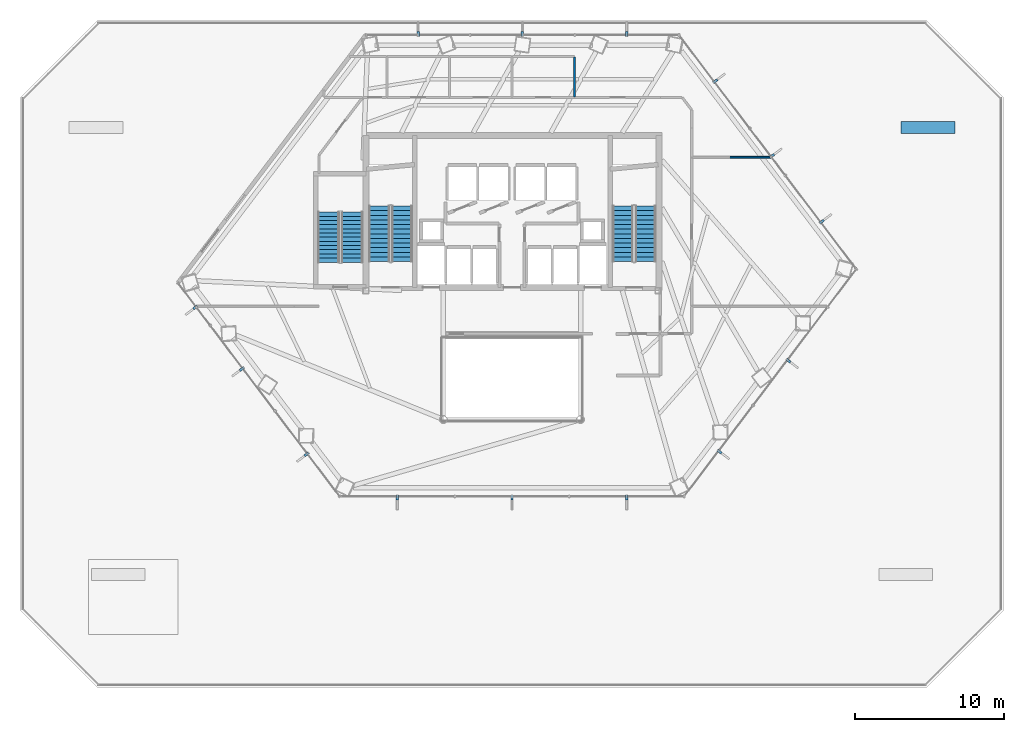
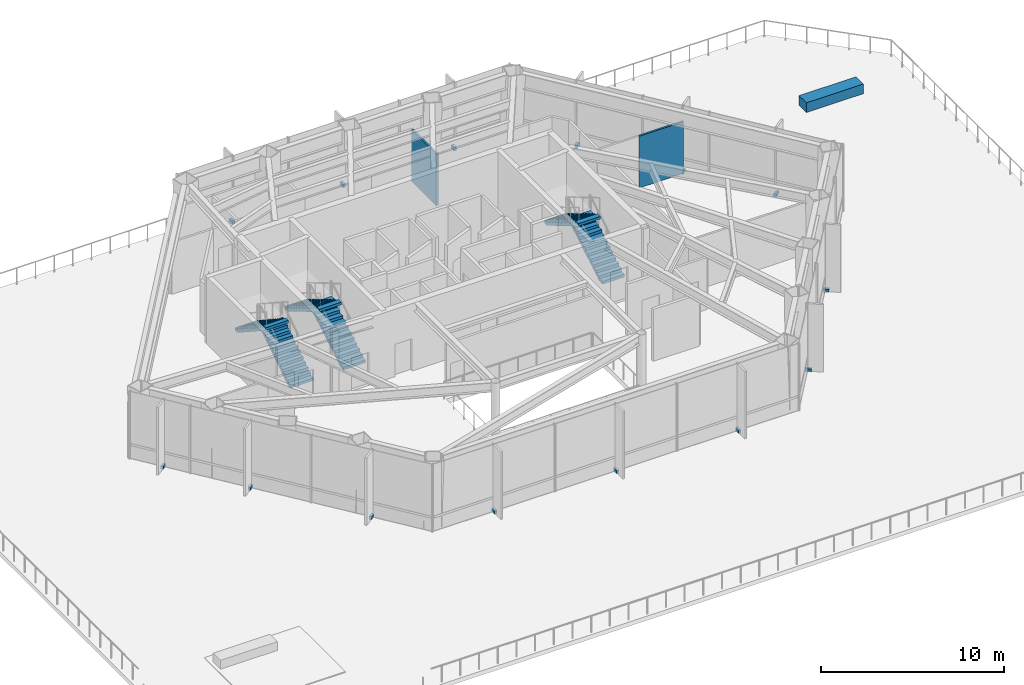
# One storey, part 23 of 30: 14 discrete accessories, 6 stair flights, 3 walls, 3 elements without a shape of their own.
"""IFC4 building model written with IfcOpenShell, lengths in metres."""

from ifc_helpers import new_model, si_unit, direction, frame, frame_2d, origin, origin_2d, place, context, subcontext, project, spatial, polyline, rectangle, outline, extrude, material, layer, layer_set, type_object, element, aggregate, save


model = new_model("IFC4")

# Units and contexts
model_context = context("Model", 3, precision=1e-05, world=origin(), true_north=direction((0.0, 1.0)))
body_context = subcontext(model_context, "Body", "Model", "MODEL_VIEW")
ifc_project = project(units=[si_unit("LENGTHUNIT", "METRE"), si_unit("AREAUNIT", "SQUARE_METRE"), si_unit("VOLUMEUNIT", "CUBIC_METRE"), si_unit("PLANEANGLEUNIT", "RADIAN"), si_unit("MASSUNIT", "GRAM", prefix="KILO")], contexts=[model_context])

# Site, building, storey
site_placement = place(None, origin())
site = spatial("IfcSite", under=ifc_project, at=site_placement, CompositionType="ELEMENT")
building_placement = place(site_placement, origin())
building = spatial("IfcBuilding", under=site, at=building_placement, Name="Zarrinselat Tower", CompositionType="ELEMENT")
storey_placement = place(building_placement, frame((0.0, 0.0, 22.780029296875)))
storey = spatial("IfcBuildingStorey", under=building, at=storey_placement, Name="L05", CompositionType="ELEMENT", Elevation=22.780029296875)

# Walls
ifc_material_1 = material(Name="Fire-Rated Gypsum Board Partition", Category="gypsum")
ifc_layer_1 = layer(ifc_material_1, 0.1201171875)
ifc_layer_set_1 = layer_set([ifc_layer_1], Name="Fire-Rated Gypsum Board Partition")
wall_type_1 = type_object("IfcWallType", Name="WAL-PART-STD", PredefinedType="PARTITIONING", material=ifc_layer_set_1)
wall_1_placement = place(storey_placement, frame((53.0, 42.0, 0.0), z_axis=(0.0, 0.0, 1.0), x_axis=(1.0, 0.0, 0.0)))
element("IfcWall", 1, at=wall_1_placement, inside=storey, type_object=wall_type_1, Name="L05 Partition Wall 41", PredefinedType="PARTITIONING", context=body_context, shape_type="SweptSolid", body=[
    extrude(rectangle(XDim=2.797119140625, YDim=0.1201171875, at=frame_2d((1.3984375, 0.0))), origin(), (0.0, 0.0, 1.0), 3.45703125),
])
ifc_material_2 = material(Name="Fire-Rated Gypsum Board Partition", Category="gypsum")
ifc_layer_2 = layer(ifc_material_2, 0.135009765625)
ifc_layer_set_2 = layer_set([ifc_layer_2], Name="Fire-Rated Gypsum Board Partition")
wall_type_2 = type_object("IfcWallType", Name="WAL-PART-WET", PredefinedType="PARTITIONING", material=ifc_layer_set_2)
wall_2_placement = place(storey_placement, frame((42.60009765625, 46.02001953125, 0.0), z_axis=(0.0, 0.0, 1.0), x_axis=(0.0, 1.0, 0.0)))
element("IfcWall", 2, at=wall_2_placement, inside=storey, type_object=wall_type_2, Name="L05 Partition Wall 35", PredefinedType="PARTITIONING", context=body_context, shape_type="SweptSolid", body=[
    extrude(rectangle(XDim=2.7099609375, YDim=0.135009765625, at=frame_2d((1.35498046875, 0.0))), origin(), (0.0, 0.0, 1.0), 3.45703125),
])
ifc_material_3 = material(Name="Honed Cream Travertine Stone", Category="masonry")
ifc_layer_3 = layer(ifc_material_3, 0.199951171875)
ifc_layer_set_3 = layer_set([ifc_layer_3], Name="Honed Cream Travertine Stone")
wall_type_3 = type_object("IfcWallType", Name="WAL-PLANTER-200", PredefinedType="PARAPET", material=ifc_layer_set_3)
wall_3_placement = place(storey_placement, frame((64.5, 44.0, 0.0), z_axis=(0.0, 0.0, 1.0), x_axis=(1.0, 0.0, 0.0)))
element("IfcWall", 3, at=wall_3_placement, inside=storey, type_object=wall_type_3, Name="L05 Chahar-Bagh Raised Stone PLANTER Bed 4", PredefinedType="PARAPET", context=body_context, shape_type="SweptSolid", body=[
    extrude(rectangle(XDim=3.60009765625, YDim=0.800048828125, at=frame_2d((1.800048828125, 0.0))), origin(), (0.0, 0.0, 1.0), 0.64990234375),
])

# Stair, stair flights
ifc_material_4 = material(Name="Concrete C40/50", Category="concrete")
stair_type_1 = type_object("IfcStairType", Name="STR-CORE-145", PredefinedType="HALF_TURN_STAIR", material=ifc_material_4)
stair_1_placement = place(storey_placement, origin())
stair_1 = element("IfcStair", 4, at=stair_1_placement, inside=storey, type_object=stair_type_1, Name="L05 Podium & Mid-Tower Exit Stair 3", PredefinedType="HALF_TURN_STAIR")
ifc_material_5 = material(Name="Concrete C40/50", Category="concrete")
stair_flight_type_1 = type_object("IfcStairFlightType", Name="STR-FLT-145", PredefinedType="STRAIGHT", material=ifc_material_5)
stair_flight_1_placement = place(storey_placement, frame((27.675048828125, 34.949951171875, 0.0), z_axis=(0.0, 0.0, 1.0), x_axis=(0.0, 1.0, 0.0)))
stair_flight_1 = element("IfcStairFlight", 5, at=stair_flight_1_placement, type_object=stair_flight_type_1, Name="ST-3 flight 1", NumberOfRisers=13, NumberOfTreads=12, PredefinedType="STRAIGHT", RiserHeight=0.183076923, TreadLength=0.28, context=body_context, shape_type="SweptSolid", body=[
    extrude(outline(polyline([(0.0, 0.0), (0.0, 0.18310546875), (0.280029296875, 0.18310546875), (0.280029296875, 0.3662109375), (0.56005859375, 0.3662109375), (0.56005859375, 0.54931640625), (0.840087890625, 0.54931640625), (0.840087890625, 0.732421875), (1.1201171875, 0.732421875), (1.1201171875, 0.915283203125), (1.39990234375, 0.915283203125), (1.39990234375, 1.098388671875), (1.679931640625, 1.098388671875), (1.679931640625, 1.281494140625), (1.9599609375, 1.281494140625), (1.9599609375, 1.464599609375), (2.239990234375, 1.464599609375), (2.239990234375, 1.647705078125), (2.52001953125, 1.647705078125), (2.52001953125, 1.830810546875), (2.800048828125, 1.830810546875), (2.800048828125, 2.013916015625), (3.080078125, 2.013916015625), (3.080078125, 2.197021484375), (3.360107421875, 2.197021484375), (3.360107421875, 2.3798828125), (3.360107421875, 2.017822265625), (0.27392578125, 0.0), (0.0, 0.0)])), frame((0.0, 0.72509765625, 0.0), z_axis=(0.0, -1.0, 0.0), x_axis=(1.0, 0.0, 0.0)), (0.0, 0.0, 1.0), 1.449951171875),
])
stair_flight_2_placement = place(storey_placement, frame((26.10498046875, 38.31005859375, 2.3798828125), z_axis=(0.0, 0.0, 1.0), x_axis=(0.0, -1.0, 0.0)))
stair_flight_2 = element("IfcStairFlight", 6, at=stair_flight_2_placement, type_object=stair_flight_type_1, Name="ST-3 flight 2", NumberOfRisers=13, NumberOfTreads=12, PredefinedType="STRAIGHT", RiserHeight=0.183076923, TreadLength=0.28, context=body_context, shape_type="SweptSolid", body=[
    extrude(outline(polyline([(0.0, 0.0), (0.0, 0.18310546875), (0.280029296875, 0.18310546875), (0.280029296875, 0.3662109375), (0.56005859375, 0.3662109375), (0.56005859375, 0.54931640625), (0.840087890625, 0.54931640625), (0.840087890625, 0.732421875), (1.1201171875, 0.732421875), (1.1201171875, 0.915283203125), (1.39990234375, 0.915283203125), (1.39990234375, 1.098388671875), (1.679931640625, 1.098388671875), (1.679931640625, 1.281494140625), (1.9599609375, 1.281494140625), (1.9599609375, 1.464599609375), (2.239990234375, 1.464599609375), (2.239990234375, 1.647705078125), (2.52001953125, 1.647705078125), (2.52001953125, 1.830810546875), (2.800048828125, 1.830810546875), (2.800048828125, 2.013916015625), (3.080078125, 2.013916015625), (3.080078125, 2.197021484375), (3.360107421875, 2.197021484375), (3.360107421875, 2.3798828125), (3.360107421875, 2.017822265625), (0.27392578125, 0.0), (0.0, 0.0)])), frame((0.0, 0.72509765625, 0.0), z_axis=(0.0, -1.0, 0.0), x_axis=(1.0, 0.0, 0.0)), (0.0, 0.0, 1.0), 1.449951171875),
])
aggregate(stair_1, [stair_flight_1, stair_flight_2])

ifc_material_6 = material(Name="Concrete C40/50", Category="concrete")
stair_type_2 = type_object("IfcStairType", Name="STR-CORE-155", PredefinedType="HALF_TURN_STAIR", material=ifc_material_6)
stair_2_placement = place(storey_placement, origin())
stair_2 = element("IfcStair", 7, at=stair_2_placement, inside=storey, type_object=stair_type_2, Name="L05 Core Exit Stair 1", PredefinedType="HALF_TURN_STAIR")
ifc_material_7 = material(Name="Concrete C40/50", Category="concrete")
stair_flight_type_2 = type_object("IfcStairFlightType", Name="STR-FLT-155", PredefinedType="STRAIGHT", material=ifc_material_7)
stair_flight_3_placement = place(storey_placement, frame((31.02001953125, 35.0, 0.0), z_axis=(0.0, 0.0, 1.0), x_axis=(0.0, 1.0, 0.0)))
stair_flight_3 = element("IfcStairFlight", 8, at=stair_flight_3_placement, type_object=stair_flight_type_2, Name="ST-1 flight 1", NumberOfRisers=13, NumberOfTreads=12, PredefinedType="STRAIGHT", RiserHeight=0.183076923, TreadLength=0.31, context=body_context, shape_type="SweptSolid", body=[
    extrude(outline(polyline([(0.0, 0.0), (0.0, 0.18310546875), (0.31005859375, 0.18310546875), (0.31005859375, 0.3662109375), (0.6201171875, 0.3662109375), (0.6201171875, 0.54931640625), (0.929931640625, 0.54931640625), (0.929931640625, 0.732421875), (1.239990234375, 0.732421875), (1.239990234375, 0.915283203125), (1.550048828125, 0.915283203125), (1.550048828125, 1.098388671875), (1.860107421875, 1.098388671875), (1.860107421875, 1.281494140625), (2.169921875, 1.281494140625), (2.169921875, 1.464599609375), (2.47998046875, 1.464599609375), (2.47998046875, 1.647705078125), (2.7900390625, 1.647705078125), (2.7900390625, 1.830810546875), (3.10009765625, 1.830810546875), (3.10009765625, 2.013916015625), (3.409912109375, 2.013916015625), (3.409912109375, 2.197021484375), (3.719970703125, 2.197021484375), (3.719970703125, 2.3798828125), (3.719970703125, 2.02294921875), (0.294677734375, 0.0), (0.0, 0.0)])), frame((0.0, 0.699951171875, 0.0), z_axis=(0.0, -1.0, 0.0), x_axis=(1.0, 0.0, 0.0)), (0.0, 0.0, 1.0), 1.39990234375),
])
stair_flight_4_placement = place(storey_placement, frame((29.5, 38.719970703125, 2.3798828125), z_axis=(0.0, 0.0, 1.0), x_axis=(0.0, -1.0, 0.0)))
stair_flight_4 = element("IfcStairFlight", 9, at=stair_flight_4_placement, type_object=stair_flight_type_2, Name="ST-1 flight 2", NumberOfRisers=13, NumberOfTreads=12, PredefinedType="STRAIGHT", RiserHeight=0.183076923, TreadLength=0.31, context=body_context, shape_type="SweptSolid", body=[
    extrude(outline(polyline([(0.0, 0.0), (0.0, 0.18310546875), (0.31005859375, 0.18310546875), (0.31005859375, 0.3662109375), (0.6201171875, 0.3662109375), (0.6201171875, 0.54931640625), (0.929931640625, 0.54931640625), (0.929931640625, 0.732421875), (1.239990234375, 0.732421875), (1.239990234375, 0.915283203125), (1.550048828125, 0.915283203125), (1.550048828125, 1.098388671875), (1.860107421875, 1.098388671875), (1.860107421875, 1.281494140625), (2.169921875, 1.281494140625), (2.169921875, 1.464599609375), (2.47998046875, 1.464599609375), (2.47998046875, 1.647705078125), (2.7900390625, 1.647705078125), (2.7900390625, 1.830810546875), (3.10009765625, 1.830810546875), (3.10009765625, 2.013916015625), (3.409912109375, 2.013916015625), (3.409912109375, 2.197021484375), (3.719970703125, 2.197021484375), (3.719970703125, 2.3798828125), (3.719970703125, 2.02294921875), (0.294677734375, 0.0), (0.0, 0.0)])), frame((0.0, 0.699951171875, 0.0), z_axis=(0.0, -1.0, 0.0), x_axis=(1.0, 0.0, 0.0)), (0.0, 0.0, 1.0), 1.39990234375),
])
aggregate(stair_2, [stair_flight_3, stair_flight_4])

stair_3_placement = place(storey_placement, origin())
stair_3 = element("IfcStair", 10, at=stair_3_placement, inside=storey, type_object=stair_type_2, Name="L05 Core Exit Stair 2", PredefinedType="HALF_TURN_STAIR")
stair_flight_5_placement = place(storey_placement, frame((47.360107421875, 35.0, 0.0), z_axis=(0.0, 0.0, 1.0), x_axis=(0.0, 1.0, 0.0)))
stair_flight_5 = element("IfcStairFlight", 11, at=stair_flight_5_placement, type_object=stair_flight_type_2, Name="ST-2 flight 1", NumberOfRisers=13, NumberOfTreads=12, PredefinedType="STRAIGHT", RiserHeight=0.183076923, TreadLength=0.31, context=body_context, shape_type="SweptSolid", body=[
    extrude(outline(polyline([(0.0, 0.0), (0.0, 0.18310546875), (0.31005859375, 0.18310546875), (0.31005859375, 0.3662109375), (0.6201171875, 0.3662109375), (0.6201171875, 0.54931640625), (0.929931640625, 0.54931640625), (0.929931640625, 0.732421875), (1.239990234375, 0.732421875), (1.239990234375, 0.915283203125), (1.550048828125, 0.915283203125), (1.550048828125, 1.098388671875), (1.860107421875, 1.098388671875), (1.860107421875, 1.281494140625), (2.169921875, 1.281494140625), (2.169921875, 1.464599609375), (2.47998046875, 1.464599609375), (2.47998046875, 1.647705078125), (2.7900390625, 1.647705078125), (2.7900390625, 1.830810546875), (3.10009765625, 1.830810546875), (3.10009765625, 2.013916015625), (3.409912109375, 2.013916015625), (3.409912109375, 2.197021484375), (3.719970703125, 2.197021484375), (3.719970703125, 2.3798828125), (3.719970703125, 2.02294921875), (0.294677734375, 0.0), (0.0, 0.0)])), frame((0.0, 0.699951171875, 0.0), z_axis=(0.0, -1.0, 0.0), x_axis=(1.0, 0.0, 0.0)), (0.0, 0.0, 1.0), 1.39990234375),
])
stair_flight_6_placement = place(storey_placement, frame((45.840087890625, 38.719970703125, 2.3798828125), z_axis=(0.0, 0.0, 1.0), x_axis=(0.0, -1.0, 0.0)))
stair_flight_6 = element("IfcStairFlight", 12, at=stair_flight_6_placement, type_object=stair_flight_type_2, Name="ST-2 flight 2", NumberOfRisers=13, NumberOfTreads=12, PredefinedType="STRAIGHT", RiserHeight=0.183076923, TreadLength=0.31, context=body_context, shape_type="SweptSolid", body=[
    extrude(outline(polyline([(0.0, 0.0), (0.0, 0.18310546875), (0.31005859375, 0.18310546875), (0.31005859375, 0.3662109375), (0.6201171875, 0.3662109375), (0.6201171875, 0.54931640625), (0.929931640625, 0.54931640625), (0.929931640625, 0.732421875), (1.239990234375, 0.732421875), (1.239990234375, 0.915283203125), (1.550048828125, 0.915283203125), (1.550048828125, 1.098388671875), (1.860107421875, 1.098388671875), (1.860107421875, 1.281494140625), (2.169921875, 1.281494140625), (2.169921875, 1.464599609375), (2.47998046875, 1.464599609375), (2.47998046875, 1.647705078125), (2.7900390625, 1.647705078125), (2.7900390625, 1.830810546875), (3.10009765625, 1.830810546875), (3.10009765625, 2.013916015625), (3.409912109375, 2.013916015625), (3.409912109375, 2.197021484375), (3.719970703125, 2.197021484375), (3.719970703125, 2.3798828125), (3.719970703125, 2.02294921875), (0.294677734375, 0.0), (0.0, 0.0)])), frame((0.0, 0.699951171875, 0.0), z_axis=(0.0, -1.0, 0.0), x_axis=(1.0, 0.0, 0.0)), (0.0, 0.0, 1.0), 1.39990234375),
])
aggregate(stair_3, [stair_flight_5, stair_flight_6])

# Discrete accessories
ifc_material_8 = material(Name="Steel S355J2", Category="steel")
discrete_accessory_type = type_object("IfcDiscreteAccessoryType", Name="ACC-FIN-BRACKET", PredefinedType="BRACKET", material=ifc_material_8)
for number, where, z_axis, x_axis, name in (
    (13, (46.10009765625, 50.27001953125, -0.0498046875), (0.0, 0.0, 1.0), (0.0, 1.0, 0.0), "L05 Fin Fixing Bracket CW-L05-E01-01"),
    (14, (39.10009765625, 50.27001953125, -0.0498046875), (0.0, 0.0, 1.0), (0.0, 1.0, 0.0), "L05 Fin Fixing Bracket CW-L05-E01-03"),
    (15, (32.10009765625, 50.27001953125, -0.0498046875), (0.0, 0.0, 1.0), (0.0, 1.0, 0.0), "L05 Fin Fixing Bracket CW-L05-E01-05"),
    (16, (17.159423828125, 31.92138671875, -0.0498046875), (0.0, 0.0, 1.0), (-0.797092148154, -0.603857687995, 0.0), "L05 Fin Fixing Bracket CW-L05-E03-01"),
    (17, (20.2841796875, 27.796875, -0.0498046875), (0.0, 0.0, 1.0), (-0.797092148154, -0.603857687995, 0.0), "L05 Fin Fixing Bracket CW-L05-E03-03"),
    (18, (24.624267578125, 22.068115234375, -0.0498046875), (0.0, 0.0, 1.0), (-0.797092148154, -0.603857687995, 0.0), "L05 Fin Fixing Bracket CW-L05-E03-05"),
    (19, (30.699951171875, 19.176025390625, -0.0498046875), (0.0, 0.0, 1.0), (0.0, -1.0, 0.0), "L05 Fin Fixing Bracket CW-L05-E04-01"),
    (20, (38.39990234375, 19.176025390625, -0.0498046875), (0.0, 0.0, 1.0), (0.0, -1.0, 0.0), "L05 Fin Fixing Bracket CW-L05-E04-03"),
    (21, (46.10009765625, 19.176025390625, -0.0498046875), (0.0, 0.0, 1.0), (0.0, -1.0, 0.0), "L05 Fin Fixing Bracket CW-L05-E04-05"),
    (22, (52.31591796875, 22.2529296875, -0.0498046875), (0.0, 0.0, 1.0), (0.797092148154, -0.603857687995, 0.0), "L05 Fin Fixing Bracket CW-L05-E05-01"),
    (23, (56.935791015625, 28.351318359375, -0.0498046875), (0.0, 0.0, 1.0), (0.797092148154, -0.603857687995, 0.0), "L05 Fin Fixing Bracket CW-L05-E05-03"),
    (24, (59.17578125, 37.67578125, -0.0498046875), (0.0, 0.0, 1.0), (0.797092148154, 0.603857687995, 0.0), "L05 Fin Fixing Bracket CW-L05-E06-01"),
    (25, (55.840576171875, 42.07861328125, -0.0498046875), (0.0, 0.0, 1.0), (0.797092148154, 0.603857687995, 0.0), "L05 Fin Fixing Bracket CW-L05-E06-03"),
    (26, (52.035888671875, 47.1005859375, -0.0498046875), (0.0, 0.0, 1.0), (0.797092148154, 0.603857687995, 0.0), "L05 Fin Fixing Bracket CW-L05-E06-05"),
):
    element("IfcDiscreteAccessory", number, at=place(storey_placement, frame(where, z_axis=z_axis, x_axis=x_axis)), inside=storey, type_object=discrete_accessory_type, Name=name, PredefinedType="BRACKET", context=body_context, shape_type="SweptSolid", body=[
        extrude(rectangle(XDim=0.340087890625, YDim=0.159912109375, at=origin_2d()), origin(), (0.0, 0.0, 1.0), 0.219970703125),
    ])

save(model, "model.ifc")
